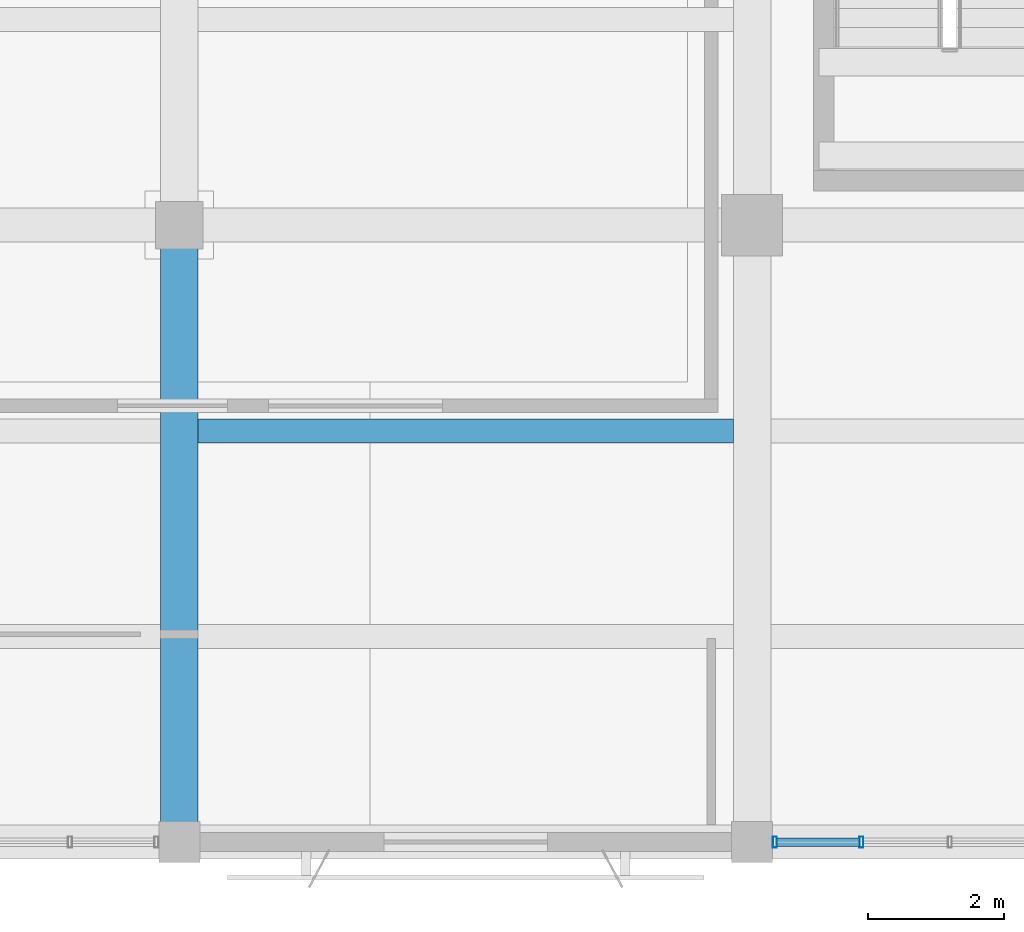
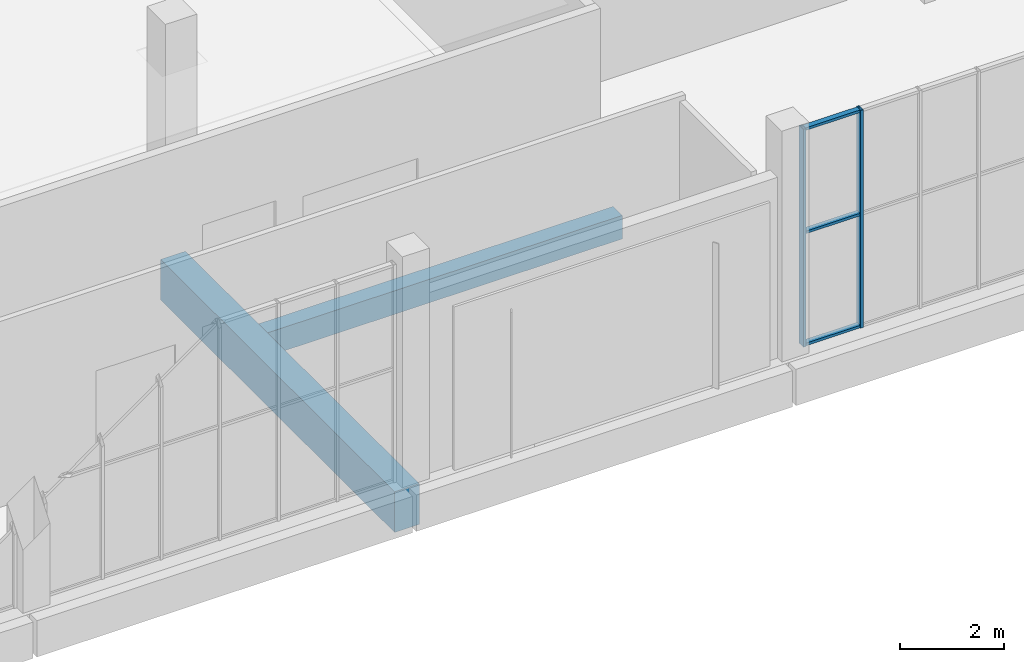
# One storey, part 11 of 132: 5 members, 2 beams, 1 element without a shape of its own.
"""IFC4 building model written with IfcOpenShell, lengths in metres."""

from ifc_helpers import new_model, si_unit, direction, frame, origin, origin_2d, place, context, subcontext, project, spatial, rectangle, hollow_rectangle, extrude, material, material_profile, profile_set, type_object, element, aggregate, save


model = new_model("IFC4")

# Units and contexts
model_context = context("Model", 3, precision=1e-05, world=origin(), true_north=direction((0.0, 1.0)))
body_context = subcontext(model_context, "Body", "Model", "MODEL_VIEW")
ifc_project = project(units=[si_unit("LENGTHUNIT", "METRE"), si_unit("AREAUNIT", "SQUARE_METRE"), si_unit("VOLUMEUNIT", "CUBIC_METRE"), si_unit("PLANEANGLEUNIT", "RADIAN"), si_unit("MASSUNIT", "GRAM", prefix="KILO")], contexts=[model_context])

# Site, building, storey
site_placement = place(None, origin())
site = spatial("IfcSite", under=ifc_project, at=site_placement, CompositionType="ELEMENT")
building_placement = place(site_placement, origin())
building = spatial("IfcBuilding", under=site, at=building_placement, Name="Khurvash Pelagic Aquarium", CompositionType="ELEMENT")
storey_placement = place(building_placement, frame((0.0, 0.0, 5.39990234375)))
storey = spatial("IfcBuildingStorey", under=building, at=storey_placement, Name="L01", CompositionType="ELEMENT", Elevation=5.39990234375)

# Beam
ifc_material_1 = material(Name="Concrete C40/50", Category="concrete")
ifc_material_profile_1 = material_profile(ifc_material_1, rectangle(XDim=0.550048828125, YDim=0.949951171875, at=origin_2d()), Name="RC550X950")
ifc_profile_set_1 = profile_set([ifc_material_profile_1], Name="Concrete C40/50")
beam_type_1 = type_object("IfcBeamType", Name="BM-02", PredefinedType="BEAM", material=ifc_profile_set_1)
beam_1_placement = place(storey_placement, frame((50.39990234375, 2.639892578125, -0.784912109375), z_axis=(0.0, 1.0, 0.0), x_axis=(-1.0, 0.0, 0.0)))
element("IfcBeam", 1, at=beam_1_placement, inside=storey, type_object=beam_type_1, Name="L01 Primary Girder BM-02 00384", PredefinedType="BEAM", context=body_context, shape_type="SweptSolid", body=[
    extrude(rectangle(XDim=0.550048828125, YDim=0.949951171875, at=origin_2d()), origin(), (0.0, 0.0, 1.0), 8.97021484375),
])

# Curtain wall, members
ifc_material_2 = material(Name="Anodised aluminium and low-E laminated glass", Category="aluminium")
curtain_wall_type = type_object("IfcCurtainWallType", Name="CW-05", PredefinedType="USERDEFINED", material=ifc_material_2)
curtain_wall_placement = place(storey_placement, origin())
curtain_wall = element("IfcCurtainWall", 2, at=curtain_wall_placement, inside=storey, type_object=curtain_wall_type, Name="L01 Facade Unitised Curtain Wall CW-05 0104", ObjectType="UNITISED CURTAIN WALL", PredefinedType="USERDEFINED")
ifc_material_3 = material(Name="Extruded aluminium AW-6063-T6", Category="aluminium")
ifc_material_profile_2 = material_profile(ifc_material_3, hollow_rectangle(XDim=0.06005859375, YDim=0.159912109375, WallThickness=0.00390625, at=origin_2d()), Name="CWM60X160X4")
ifc_profile_set_2 = profile_set([ifc_material_profile_2], Name="Extruded aluminium AW-6063-T6")
member_type_1 = type_object("IfcMemberType", Name="CM-02", PredefinedType="MULLION", material=ifc_profile_set_2)
member_1_placement = place(storey_placement, frame((59.135009765625, 2.60009765625, 0.0), z_axis=(0.0, 0.0, 1.0), x_axis=(1.0, 0.0, 0.0)))
member_1 = element("IfcMember", 3, at=member_1_placement, type_object=member_type_1, Name="CW-05 mullion 1", PredefinedType="MULLION", context=body_context, shape_type="SweptSolid", body=[
    extrude(hollow_rectangle(XDim=0.06005859375, YDim=0.159912109375, WallThickness=0.00390625, at=origin_2d()), origin(), (0.0, 0.0, 1.0), 5.10009765625),
])
member_2_placement = place(storey_placement, frame((60.4033203125, 2.60009765625, 0.0), z_axis=(0.0, 0.0, 1.0), x_axis=(1.0, 0.0, 0.0)))
member_2 = element("IfcMember", 4, at=member_2_placement, type_object=member_type_1, Name="CW-05 mullion 2", PredefinedType="MULLION", context=body_context, shape_type="SweptSolid", body=[
    extrude(hollow_rectangle(XDim=0.06005859375, YDim=0.159912109375, WallThickness=0.00390625, at=origin_2d()), origin(), (0.0, 0.0, 1.0), 5.10009765625),
])
ifc_material_profile_3 = material_profile(ifc_material_3, hollow_rectangle(XDim=0.1201171875, YDim=0.06005859375, WallThickness=0.00390625, at=origin_2d()), Name="CWT120X60X4")
ifc_profile_set_3 = profile_set([ifc_material_profile_3], Name="Extruded aluminium AW-6063-T6")
member_type_2 = type_object("IfcMemberType", Name="CT-02", PredefinedType="USERDEFINED", material=ifc_profile_set_3)
member_3_placement = place(storey_placement, frame((59.1650390625, 2.60009765625, 0.030029296875), z_axis=(1.0, 0.0, 0.0), x_axis=(0.0, 1.0, 0.0)))
member_3 = element("IfcMember", 5, at=member_3_placement, type_object=member_type_2, Name="CW-05 transom 1.1", ObjectType="TRANSOM", PredefinedType="USERDEFINED", context=body_context, shape_type="SweptSolid", body=[
    extrude(hollow_rectangle(XDim=0.1201171875, YDim=0.06005859375, WallThickness=0.00390625, at=origin_2d()), origin(), (0.0, 0.0, 1.0), 1.208251953125),
])
member_4_placement = place(storey_placement, frame((59.1650390625, 2.60009765625, 2.652099609375), z_axis=(1.0, 0.0, 0.0), x_axis=(0.0, 1.0, 0.0)))
member_4 = element("IfcMember", 6, at=member_4_placement, type_object=member_type_2, Name="CW-05 transom 1.2", ObjectType="TRANSOM", PredefinedType="USERDEFINED", context=body_context, shape_type="SweptSolid", body=[
    extrude(hollow_rectangle(XDim=0.1201171875, YDim=0.06005859375, WallThickness=0.00390625, at=origin_2d()), origin(), (0.0, 0.0, 1.0), 1.208251953125),
])
member_5_placement = place(storey_placement, frame((59.1650390625, 2.60009765625, 5.070068359375), z_axis=(1.0, 0.0, 0.0), x_axis=(0.0, 1.0, 0.0)))
member_5 = element("IfcMember", 7, at=member_5_placement, type_object=member_type_2, Name="CW-05 transom 1.3", ObjectType="TRANSOM", PredefinedType="USERDEFINED", context=body_context, shape_type="SweptSolid", body=[
    extrude(hollow_rectangle(XDim=0.1201171875, YDim=0.06005859375, WallThickness=0.00390625, at=origin_2d()), origin(), (0.0, 0.0, 1.0), 1.208251953125),
])
aggregate(curtain_wall, [member_1, member_2, member_3, member_4, member_5])

# Beam
ifc_material_4 = material(Name="Concrete C35/45", Category="concrete")
ifc_material_profile_4 = material_profile(ifc_material_4, rectangle(XDim=0.35009765625, YDim=0.550048828125, at=origin_2d()), Name="RC350X550")
ifc_profile_set_4 = profile_set([ifc_material_profile_4], Name="Concrete C35/45")
beam_type_2 = type_object("IfcBeamType", Name="JS-01", PredefinedType="JOIST", material=ifc_profile_set_4)
beam_2_placement = place(storey_placement, frame((50.675048828125, 8.633056640625, -0.5849609375), z_axis=(1.0, 0.0, 0.0), x_axis=(0.0, 1.0, 0.0)))
element("IfcBeam", 8, at=beam_2_placement, inside=storey, type_object=beam_type_2, Name="L01 Floor Joist JS-01 00493", PredefinedType="JOIST", context=body_context, shape_type="SweptSolid", body=[
    extrude(rectangle(XDim=0.35009765625, YDim=0.550048828125, at=origin_2d()), origin(), (0.0, 0.0, 1.0), 7.849853515625),
])

save(model, "model.ifc")
